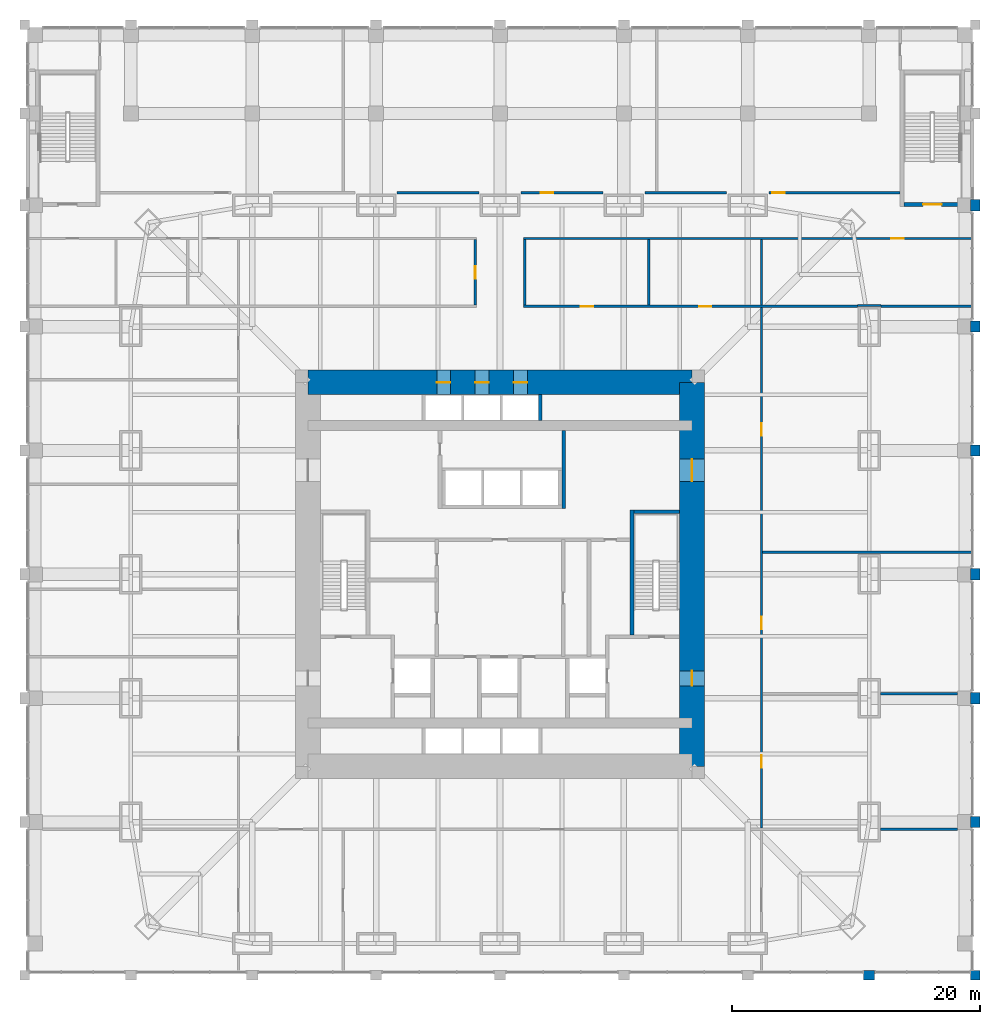
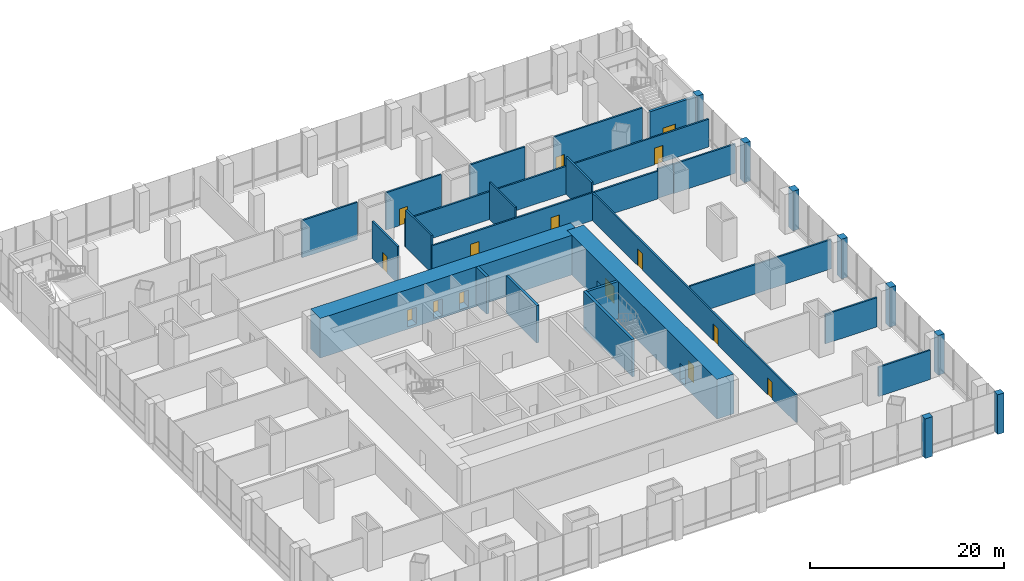
# One storey, part 19 of 24: 31 walls, 15 doors, 15 openings.
"""IFC4 building model written with IfcOpenShell, lengths in metres."""

from ifc_helpers import new_model, si_unit, direction, frame, frame_2d, origin, place, context, subcontext, project, spatial, rectangle, extrude, material, layer, layer_set, type_object, element, fill, save


model = new_model("IFC4")

# Units and contexts
model_context = context("Model", 3, precision=1e-05, world=origin(), true_north=direction((0.0, 1.0)))
body_context = subcontext(model_context, "Body", "Model", "MODEL_VIEW")
ifc_project = project(units=[si_unit("LENGTHUNIT", "METRE"), si_unit("AREAUNIT", "SQUARE_METRE"), si_unit("VOLUMEUNIT", "CUBIC_METRE"), si_unit("PLANEANGLEUNIT", "RADIAN"), si_unit("MASSUNIT", "GRAM", prefix="KILO")], contexts=[model_context])

# Site, building, storey
site_placement = place(None, origin())
site = spatial("IfcSite", under=ifc_project, at=site_placement, CompositionType="ELEMENT")
building_placement = place(site_placement, origin())
building = spatial("IfcBuilding", under=site, at=building_placement, Name="Khuree Lantern Residences", CompositionType="ELEMENT")
storey_placement = place(building_placement, frame((0.0, 0.0, 11.0)))
storey = spatial("IfcBuildingStorey", under=building, at=storey_placement, Name="L02", CompositionType="ELEMENT", Elevation=11.0)

# Walls
ifc_material_1 = material(Name="Dense concrete blockwork", Category="masonry")
ifc_layer_1 = layer(ifc_material_1, 0.300048828125)
ifc_layer_set_1 = layer_set([ifc_layer_1], Name="CORE PARTITION WALL CPW300 EI 120")
wall_type_1 = type_object("IfcWallType", Name="CORE PARTITION WALL CPW300 EI 120", PredefinedType="PARTITIONING", material=ifc_layer_set_1)
wall_1_placement = place(storey_placement, frame((3.25, 12.39990234375, 0.0), z_axis=(0.0, 0.0, 1.0), x_axis=(0.0, 1.0, 0.0)))
element("IfcWall", 1, at=wall_1_placement, inside=storey, type_object=wall_type_1, Name="L02 CORE WALL PLE", PredefinedType="PARTITIONING", context=body_context, shape_type="SweptSolid", body=[
    extrude(rectangle(XDim=2.10009765625, YDim=0.300048828125, at=frame_2d((1.050048828125, 0.0))), origin(), (0.0, 0.0, 1.0), 4.699951171875),
])
wall_2_placement = place(storey_placement, frame((5.14990234375, 5.300048828125, 0.0), z_axis=(0.0, 0.0, 1.0), x_axis=(0.0, 1.0, 0.0)))
element("IfcWall", 2, at=wall_2_placement, inside=storey, type_object=wall_type_1, Name="L02 CORE WALL NE", PredefinedType="PARTITIONING", context=body_context, shape_type="SweptSolid", body=[
    extrude(rectangle(XDim=6.300048828125, YDim=0.300048828125, at=frame_2d((3.14990234375, 0.0))), origin(), (0.0, 0.0, 1.0), 4.699951171875),
])

# Wall, openings, doors
ifc_material_2 = material(Name="Concrete C70/85", Category="concrete")
ifc_layer_2 = layer(ifc_material_2, 2.0)
ifc_layer_set_2 = layer_set([ifc_layer_2], Name="CW2000-C70 CORE WALL C70 2000")
wall_type_2 = type_object("IfcWallType", Name="CW2000-C70 CORE WALL C70 2000", PredefinedType="SHEAR", material=ifc_layer_set_2)
wall_3_placement = place(storey_placement, frame((15.5, -15.5, -0.300048828125), z_axis=(0.0, 0.0, 1.0), x_axis=(0.0, 1.0, 0.0)))
wall_3 = element("IfcWall", 3, at=wall_3_placement, inside=storey, type_object=wall_type_2, Name="Core wall E", PredefinedType="SHEAR", context=body_context, shape_type="SweptSolid", body=[
    extrude(rectangle(XDim=31.0, YDim=2.0, at=frame_2d((15.5, 0.0))), origin(), (0.0, 0.0, 1.0), 5.0),
])
opening_1_placement = place(wall_3_placement, frame((6.5, 0.0, 0.300048828125)))
opening_1 = element("IfcOpeningElement", 4, at=opening_1_placement, cuts=wall_3, Name="Opening 02-005", PredefinedType="OPENING", context=body_context, shape_type="SweptSolid", body=[
    extrude(rectangle(XDim=1.199951171875, YDim=2.10009765625, at=frame_2d((0.60009765625, 1.050048828125))), frame((0.0, 1.010009765625, 0.0), z_axis=(0.0, -1.0, 0.0), x_axis=(1.0, 0.0, 0.0)), (0.0, 0.0, 1.0), 2.02001953125),
])
opening_2_placement = place(wall_3_placement, frame((23.0, 0.0, 0.300048828125)))
opening_2 = element("IfcOpeningElement", 5, at=opening_2_placement, cuts=wall_3, Name="Opening 02-006", PredefinedType="OPENING", context=body_context, shape_type="SweptSolid", body=[
    extrude(rectangle(XDim=1.800048828125, YDim=2.10009765625, at=frame_2d((0.89990234375, 1.050048828125))), frame((0.0, 1.010009765625, 0.0), z_axis=(0.0, -1.0, 0.0), x_axis=(1.0, 0.0, 0.0)), (0.0, 0.0, 1.0), 2.02001953125),
])
ifc_material_3 = material(Name="Steel door leaf in steel frame", Category="steel")
door_type_1 = type_object("IfcDoorType", Name="LOBBY DOOR 1200X2100 EI 120", OperationType="SINGLE_SWING_LEFT", PredefinedType="DOOR", material=ifc_material_3)
door_1_placement = place(opening_1_placement, origin())
door_1 = element("IfcDoor", 6, at=door_1_placement, inside=storey, type_object=door_type_1, Name="Firefighting lobby door 02-005", OperationType="SINGLE_SWING_LEFT", OverallHeight=2.10009765625, OverallWidth=1.199951171875, PredefinedType="DOOR", context=body_context, shape_type="SweptSolid", body=[
    extrude(rectangle(XDim=1.199951171875, YDim=2.10009765625, at=frame_2d((0.60009765625, 1.050048828125))), frame((0.0, 0.02490234375, 0.0), z_axis=(0.0, -1.0, 0.0), x_axis=(1.0, 0.0, 0.0)), (0.0, 0.0, 1.0), 0.050048828125),
])
fill(opening_1, door_1)
door_type_2 = type_object("IfcDoorType", Name="LOBBY DOUBLE DOOR 1800X2100 EI 60", OperationType="DOUBLE_DOOR_SINGLE_SWING", PredefinedType="DOOR", material=ifc_material_3)
door_2_placement = place(opening_2_placement, origin())
door_2 = element("IfcDoor", 7, at=door_2_placement, inside=storey, type_object=door_type_2, Name="Lift lobby door 02-006", OperationType="DOUBLE_DOOR_SINGLE_SWING", OverallHeight=2.10009765625, OverallWidth=1.800048828125, PredefinedType="DOOR", context=body_context, shape_type="SweptSolid", body=[
    extrude(rectangle(XDim=1.800048828125, YDim=2.10009765625, at=frame_2d((0.89990234375, 1.050048828125))), frame((0.0, 0.02490234375, 0.0), z_axis=(0.0, -1.0, 0.0), x_axis=(1.0, 0.0, 0.0)), (0.0, 0.0, 1.0), 0.050048828125),
])
fill(opening_2, door_2)

wall_4_placement = place(storey_placement, frame((-15.5, 15.5, -0.300048828125), z_axis=(0.0, 0.0, 1.0), x_axis=(1.0, 0.0, 0.0)))
wall_4 = element("IfcWall", 8, at=wall_4_placement, inside=storey, type_object=wall_type_2, Name="Core wall N", PredefinedType="SHEAR", context=body_context, shape_type="SweptSolid", body=[
    extrude(rectangle(XDim=31.0, YDim=2.0, at=frame_2d((15.5, 0.0))), origin(), (0.0, 0.0, 1.0), 5.0),
])
opening_3_placement = place(wall_4_placement, frame((10.39990234375, 0.0, 0.300048828125)))
opening_3 = element("IfcOpeningElement", 9, at=opening_3_placement, cuts=wall_4, Name="Opening 02-009", PredefinedType="OPENING", context=body_context, shape_type="SweptSolid", body=[
    extrude(rectangle(XDim=1.10009765625, YDim=2.10009765625, at=frame_2d((0.550048828125, 1.050048828125))), frame((0.0, 1.010009765625, 0.0), z_axis=(0.0, -1.0, 0.0), x_axis=(1.0, 0.0, 0.0)), (0.0, 0.0, 1.0), 2.02001953125),
])
opening_4_placement = place(wall_4_placement, frame((13.5, 0.0, 0.300048828125)))
opening_4 = element("IfcOpeningElement", 10, at=opening_4_placement, cuts=wall_4, Name="Opening 02-010", PredefinedType="OPENING", context=body_context, shape_type="SweptSolid", body=[
    extrude(rectangle(XDim=1.10009765625, YDim=2.10009765625, at=frame_2d((0.550048828125, 1.050048828125))), frame((0.0, 1.010009765625, 0.0), z_axis=(0.0, -1.0, 0.0), x_axis=(1.0, 0.0, 0.0)), (0.0, 0.0, 1.0), 2.02001953125),
])
opening_5_placement = place(wall_4_placement, frame((16.60009765625, 0.0, 0.300048828125)))
opening_5 = element("IfcOpeningElement", 11, at=opening_5_placement, cuts=wall_4, Name="Opening 02-011", PredefinedType="OPENING", context=body_context, shape_type="SweptSolid", body=[
    extrude(rectangle(XDim=1.10009765625, YDim=2.10009765625, at=frame_2d((0.550048828125, 1.050048828125))), frame((0.0, 1.010009765625, 0.0), z_axis=(0.0, -1.0, 0.0), x_axis=(1.0, 0.0, 0.0)), (0.0, 0.0, 1.0), 2.02001953125),
])
ifc_material_4 = material(Name="Stainless steel lift landing door", Category="steel")
door_type_3 = type_object("IfcDoorType", Name="LIFT LANDING DOOR 1100X2100 E 60", OperationType="DOUBLE_DOOR_SLIDING", PredefinedType="DOOR", material=ifc_material_4)
door_3_placement = place(opening_3_placement, origin())
door_3 = element("IfcDoor", 12, at=door_3_placement, inside=storey, type_object=door_type_3, Name="Landing door PL1 02-009", OperationType="DOUBLE_DOOR_SLIDING", OverallHeight=2.10009765625, OverallWidth=1.10009765625, PredefinedType="DOOR", context=body_context, shape_type="SweptSolid", body=[
    extrude(rectangle(XDim=1.10009765625, YDim=2.10009765625, at=frame_2d((0.550048828125, 1.050048828125))), frame((0.0, 0.02490234375, 0.0), z_axis=(0.0, -1.0, 0.0), x_axis=(1.0, 0.0, 0.0)), (0.0, 0.0, 1.0), 0.050048828125),
])
fill(opening_3, door_3)
door_4_placement = place(opening_4_placement, origin())
door_4 = element("IfcDoor", 13, at=door_4_placement, inside=storey, type_object=door_type_3, Name="Landing door PL2 02-010", OperationType="DOUBLE_DOOR_SLIDING", OverallHeight=2.10009765625, OverallWidth=1.10009765625, PredefinedType="DOOR", context=body_context, shape_type="SweptSolid", body=[
    extrude(rectangle(XDim=1.10009765625, YDim=2.10009765625, at=frame_2d((0.550048828125, 1.050048828125))), frame((0.0, 0.02490234375, 0.0), z_axis=(0.0, -1.0, 0.0), x_axis=(1.0, 0.0, 0.0)), (0.0, 0.0, 1.0), 0.050048828125),
])
fill(opening_4, door_4)
door_5_placement = place(opening_5_placement, origin())
door_5 = element("IfcDoor", 14, at=door_5_placement, inside=storey, type_object=door_type_3, Name="Landing door PL3 02-011", OperationType="DOUBLE_DOOR_SLIDING", OverallHeight=2.10009765625, OverallWidth=1.10009765625, PredefinedType="DOOR", context=body_context, shape_type="SweptSolid", body=[
    extrude(rectangle(XDim=1.10009765625, YDim=2.10009765625, at=frame_2d((0.550048828125, 1.050048828125))), frame((0.0, 0.02490234375, 0.0), z_axis=(0.0, -1.0, 0.0), x_axis=(1.0, 0.0, 0.0)), (0.0, 0.0, 1.0), 0.050048828125),
])
fill(opening_5, door_5)

# Walls
ifc_material_5 = material(Name="Flamed granite cladding on blockwork", Category="masonry")
ifc_layer_3 = layer(ifc_material_5, 0.75)
ifc_layer_set_3 = layer_set([ifc_layer_3], Name="PODIUM PIER PR1 900X750")
wall_type_3 = type_object("IfcWallType", Name="PODIUM PIER PR1 900X750", PredefinedType="SOLIDWALL", material=ifc_layer_set_3)
wall_5_placement = place(storey_placement, frame((29.35009765625, -32.375, 0.0), z_axis=(0.0, 0.0, 1.0), x_axis=(1.0, 0.0, 0.0)))
element("IfcWall", 15, at=wall_5_placement, inside=storey, type_object=wall_type_3, Name="L02 SOUTH FACE PIER 7", PredefinedType="SOLIDWALL", context=body_context, shape_type="SweptSolid", body=[
    extrude(rectangle(XDim=0.89990234375, YDim=0.75, at=frame_2d((0.449951171875, 0.0))), origin(), (0.0, 0.0, 1.0), 5.0),
])
wall_6_placement = place(storey_placement, frame((38.0, -32.375, 0.0), z_axis=(0.0, 0.0, 1.0), x_axis=(1.0, 0.0, 0.0)))
element("IfcWall", 16, at=wall_6_placement, inside=storey, type_object=wall_type_3, Name="L02 SOUTH FACE PIER 8", PredefinedType="SOLIDWALL", context=body_context, shape_type="SweptSolid", body=[
    extrude(rectangle(XDim=0.75, YDim=0.75, at=frame_2d((0.375, 0.0))), origin(), (0.0, 0.0, 1.0), 5.0),
])
for number, where, z_axis, x_axis, name in (
    (17, (38.375, -20.449951171875, 0.0), (0.0, 0.0, 1.0), (0.0, 1.0, 0.0), "L02 EAST FACE PIER 1"),
    (18, (38.375, -10.449951171875, 0.0), (0.0, 0.0, 1.0), (0.0, 1.0, 0.0), "L02 EAST FACE PIER 2"),
    (19, (38.375, -0.449951171875, 0.0), (0.0, 0.0, 1.0), (0.0, 1.0, 0.0), "L02 EAST FACE PIER 3"),
    (20, (38.375, 9.550048828125, 0.0), (0.0, 0.0, 1.0), (0.0, 1.0, 0.0), "L02 EAST FACE PIER 4"),
    (21, (38.375, 19.550048828125, 0.0), (0.0, 0.0, 1.0), (0.0, 1.0, 0.0), "L02 EAST FACE PIER 5"),
    (22, (38.375, 29.35009765625, 0.0), (0.0, 0.0, 1.0), (0.0, 1.0, 0.0), "L02 EAST FACE PIER 6"),
):
    element("IfcWall", number, at=place(storey_placement, frame(where, z_axis=z_axis, x_axis=x_axis)), inside=storey, type_object=wall_type_3, Name=name, PredefinedType="SOLIDWALL", context=body_context, shape_type="SweptSolid", body=[
        extrude(rectangle(XDim=0.89990234375, YDim=0.75, at=frame_2d((0.449951171875, 0.0))), origin(), (0.0, 0.0, 1.0), 5.0),
    ])
ifc_layer_4 = layer(ifc_material_1, 0.199951171875)
ifc_layer_set_4 = layer_set([ifc_layer_4], Name="ROOM WALL RMW200")
wall_type_4 = type_object("IfcWallType", Name="ROOM WALL RMW200", PredefinedType="SOLIDWALL", material=ifc_layer_set_4)
wall_7_placement = place(storey_placement, frame((30.72998046875, -20.591064453125, 0.0), z_axis=(0.0, 0.0, 1.0), x_axis=(1.0, 0.0, 0.0)))
element("IfcWall", 23, at=wall_7_placement, inside=storey, type_object=wall_type_4, Name="L02 ROOM WALL 8", PredefinedType="SOLIDWALL", context=body_context, shape_type="SweptSolid", body=[
    extrude(rectangle(XDim=6.18994140625, YDim=0.199951171875, at=frame_2d((3.094970703125, 0.0))), origin(), (0.0, 0.0, 1.0), 3.699951171875),
])

# Wall, openings, doors
wall_8_placement = place(storey_placement, frame((21.111083984375, -20.490966796875, 0.0), z_axis=(0.0, 0.0, 1.0), x_axis=(0.0, 1.0, 0.0)))
wall_8 = element("IfcWall", 24, at=wall_8_placement, inside=storey, type_object=wall_type_4, Name="L02 ROOM WALL 10", PredefinedType="SOLIDWALL", context=body_context, shape_type="SweptSolid", body=[
    extrude(rectangle(XDim=42.02197265625, YDim=0.199951171875, at=frame_2d((21.010986328125, 0.0))), origin(), (0.0, 0.0, 1.0), 3.5),
])
opening_6_placement = place(wall_8_placement, frame((4.8798828125, 0.0, 0.0)))
opening_6 = element("IfcOpeningElement", 25, at=opening_6_placement, cuts=wall_8, Name="Opening 02-033", PredefinedType="OPENING", context=body_context, shape_type="SweptSolid", body=[
    extrude(rectangle(XDim=1.0, YDim=2.10009765625, at=frame_2d((0.5, 1.050048828125))), frame((0.0, 0.10986328125, 0.0), z_axis=(0.0, -1.0, 0.0), x_axis=(1.0, 0.0, 0.0)), (0.0, 0.0, 1.0), 0.219970703125),
])
opening_7_placement = place(wall_8_placement, frame((16.064453125, 0.0, 0.0)))
opening_7 = element("IfcOpeningElement", 26, at=opening_7_placement, cuts=wall_8, Name="Opening 02-034", PredefinedType="OPENING", context=body_context, shape_type="SweptSolid", body=[
    extrude(rectangle(XDim=1.0, YDim=2.10009765625, at=frame_2d((0.5, 1.050048828125))), frame((0.0, 0.10986328125, 0.0), z_axis=(0.0, -1.0, 0.0), x_axis=(1.0, 0.0, 0.0)), (0.0, 0.0, 1.0), 0.219970703125),
])
opening_8_placement = place(wall_8_placement, frame((31.695556640625, 0.0, 0.0)))
opening_8 = element("IfcOpeningElement", 27, at=opening_8_placement, cuts=wall_8, Name="Opening 02-035", PredefinedType="OPENING", context=body_context, shape_type="SweptSolid", body=[
    extrude(rectangle(XDim=1.0, YDim=2.10009765625, at=frame_2d((0.5, 1.050048828125))), frame((0.0, 0.10986328125, 0.0), z_axis=(0.0, -1.0, 0.0), x_axis=(1.0, 0.0, 0.0)), (0.0, 0.0, 1.0), 0.219970703125),
])
ifc_material_6 = material(Name="Timber door leaf in hardwood frame", Category="wood")
door_type_4 = type_object("IfcDoorType", Name="DOOR 1000X2100", OperationType="SINGLE_SWING_LEFT", PredefinedType="DOOR", material=ifc_material_6)
door_6_placement = place(opening_6_placement, origin())
door_6 = element("IfcDoor", 28, at=door_6_placement, inside=storey, type_object=door_type_4, Name="Staff changing room door 02-033", OperationType="SINGLE_SWING_LEFT", OverallHeight=2.10009765625, OverallWidth=1.0, PredefinedType="DOOR", context=body_context, shape_type="SweptSolid", body=[
    extrude(rectangle(XDim=1.0, YDim=2.10009765625, at=frame_2d((0.5, 1.050048828125))), frame((0.0, 0.02490234375, 0.0), z_axis=(0.0, -1.0, 0.0), x_axis=(1.0, 0.0, 0.0)), (0.0, 0.0, 1.0), 0.050048828125),
])
fill(opening_6, door_6)
door_7_placement = place(opening_7_placement, origin())
door_7 = element("IfcDoor", 29, at=door_7_placement, inside=storey, type_object=door_type_4, Name="Catering office door 02-034", OperationType="SINGLE_SWING_LEFT", OverallHeight=2.10009765625, OverallWidth=1.0, PredefinedType="DOOR", context=body_context, shape_type="SweptSolid", body=[
    extrude(rectangle(XDim=1.0, YDim=2.10009765625, at=frame_2d((0.5, 1.050048828125))), frame((0.0, 0.02490234375, 0.0), z_axis=(0.0, -1.0, 0.0), x_axis=(1.0, 0.0, 0.0)), (0.0, 0.0, 1.0), 0.050048828125),
])
fill(opening_7, door_7)
door_8_placement = place(opening_8_placement, origin())
door_8 = element("IfcDoor", 30, at=door_8_placement, inside=storey, type_object=door_type_4, Name="Audio-visual room door 02-035", OperationType="SINGLE_SWING_LEFT", OverallHeight=2.10009765625, OverallWidth=1.0, PredefinedType="DOOR", context=body_context, shape_type="SweptSolid", body=[
    extrude(rectangle(XDim=1.0, YDim=2.10009765625, at=frame_2d((0.5, 1.050048828125))), frame((0.0, 0.02490234375, 0.0), z_axis=(0.0, -1.0, 0.0), x_axis=(1.0, 0.0, 0.0)), (0.0, 0.0, 1.0), 0.050048828125),
])
fill(opening_8, door_8)

# Walls
wall_9_placement = place(storey_placement, frame((30.72998046875, -9.631103515625, 0.0), z_axis=(0.0, 0.0, 1.0), x_axis=(1.0, 0.0, 0.0)))
element("IfcWall", 31, at=wall_9_placement, inside=storey, type_object=wall_type_4, Name="L02 ROOM WALL 12", PredefinedType="SOLIDWALL", context=body_context, shape_type="SweptSolid", body=[
    extrude(rectangle(XDim=6.18994140625, YDim=0.199951171875, at=frame_2d((3.094970703125, 0.0))), origin(), (0.0, 0.0, 1.0), 3.699951171875),
])
wall_10_placement = place(storey_placement, frame((21.2109375, 1.778076171875, 0.0), z_axis=(0.0, 0.0, 1.0), x_axis=(1.0, 0.0, 0.0)))
element("IfcWall", 32, at=wall_10_placement, inside=storey, type_object=wall_type_4, Name="L02 ROOM WALL 16", PredefinedType="SOLIDWALL", context=body_context, shape_type="SweptSolid", body=[
    extrude(rectangle(XDim=16.864013671875, YDim=0.199951171875, at=frame_2d((8.43212890625, 0.0))), origin(), (0.0, 0.0, 1.0), 3.699951171875),
])

# Wall, openings, doors
wall_11_placement = place(storey_placement, frame((1.89990234375, 21.631103515625, 0.0), z_axis=(0.0, 0.0, 1.0), x_axis=(1.0, 0.0, 0.0)))
wall_11 = element("IfcWall", 33, at=wall_11_placement, inside=storey, type_object=wall_type_4, Name="L02 ROOM WALL 21", PredefinedType="SOLIDWALL", context=body_context, shape_type="SweptSolid", body=[
    extrude(rectangle(XDim=26.9501953125, YDim=0.199951171875, at=frame_2d((13.47509765625, 0.0))), origin(), (0.0, 0.0, 1.0), 3.5),
])
opening_9_placement = place(wall_11_placement, frame((4.610107421875, 0.0, 0.0)))
opening_9 = element("IfcOpeningElement", 34, at=opening_9_placement, cuts=wall_11, Name="Opening 02-041", PredefinedType="OPENING", context=body_context, shape_type="SweptSolid", body=[
    extrude(rectangle(XDim=1.0, YDim=2.10009765625, at=frame_2d((0.5, 1.050048828125))), frame((0.0, 0.10986328125, 0.0), z_axis=(0.0, -1.0, 0.0), x_axis=(1.0, 0.0, 0.0)), (0.0, 0.0, 1.0), 0.219970703125),
])
opening_10_placement = place(wall_11_placement, frame((14.16552734375, 0.0, 0.0)))
opening_10 = element("IfcOpeningElement", 35, at=opening_10_placement, cuts=wall_11, Name="Opening 02-042", PredefinedType="OPENING", context=body_context, shape_type="SweptSolid", body=[
    extrude(rectangle(XDim=1.0, YDim=2.10009765625, at=frame_2d((0.5, 1.050048828125))), frame((0.0, 0.10986328125, 0.0), z_axis=(0.0, -1.0, 0.0), x_axis=(1.0, 0.0, 0.0)), (0.0, 0.0, 1.0), 0.219970703125),
])
door_9_placement = place(opening_9_placement, origin())
door_9 = element("IfcDoor", 36, at=door_9_placement, inside=storey, type_object=door_type_4, Name="Florist room door 02-041", OperationType="SINGLE_SWING_LEFT", OverallHeight=2.10009765625, OverallWidth=1.0, PredefinedType="DOOR", context=body_context, shape_type="SweptSolid", body=[
    extrude(rectangle(XDim=1.0, YDim=2.10009765625, at=frame_2d((0.5, 1.050048828125))), frame((0.0, 0.02490234375, 0.0), z_axis=(0.0, -1.0, 0.0), x_axis=(1.0, 0.0, 0.0)), (0.0, 0.0, 1.0), 0.050048828125),
])
fill(opening_9, door_9)
door_10_placement = place(opening_10_placement, origin())
door_10 = element("IfcDoor", 37, at=door_10_placement, inside=storey, type_object=door_type_4, Name="Press room door 02-042", OperationType="SINGLE_SWING_LEFT", OverallHeight=2.10009765625, OverallWidth=1.0, PredefinedType="DOOR", context=body_context, shape_type="SweptSolid", body=[
    extrude(rectangle(XDim=1.0, YDim=2.10009765625, at=frame_2d((0.5, 1.050048828125))), frame((0.0, 0.02490234375, 0.0), z_axis=(0.0, -1.0, 0.0), x_axis=(1.0, 0.0, 0.0)), (0.0, 0.0, 1.0), 0.050048828125),
])
fill(opening_10, door_10)

# Walls
wall_12_placement = place(storey_placement, frame((30.75, 21.631103515625, 0.0), z_axis=(0.0, 0.0, 1.0), x_axis=(1.0, 0.0, 0.0)))
element("IfcWall", 38, at=wall_12_placement, inside=storey, type_object=wall_type_4, Name="L02 ROOM WALL 22", PredefinedType="SOLIDWALL", context=body_context, shape_type="SweptSolid", body=[
    extrude(rectangle(XDim=7.324951171875, YDim=0.199951171875, at=frame_2d((3.66259765625, 0.0))), origin(), (0.0, 0.0, 1.0), 3.699951171875),
])
wall_13_placement = place(storey_placement, frame((28.85009765625, 21.701904296875, 0.0), z_axis=(0.0, 0.0, 1.0), x_axis=(1.0, 0.0, 0.0)))
element("IfcWall", 39, at=wall_13_placement, inside=storey, type_object=wall_type_4, Name="L02 ROOM WALL 24", PredefinedType="SOLIDWALL", context=body_context, shape_type="SweptSolid", body=[
    extrude(rectangle(XDim=1.89990234375, YDim=0.199951171875, at=frame_2d((0.949951171875, 0.0))), origin(), (0.0, 0.0, 1.0), 3.699951171875),
])

# Wall, opening, door
wall_14_placement = place(storey_placement, frame((-2.0, 21.73095703125, 0.0), z_axis=(0.0, 0.0, 1.0), x_axis=(0.0, 1.0, 0.0)))
wall_14 = element("IfcWall", 40, at=wall_14_placement, inside=storey, type_object=wall_type_4, Name="L02 ROOM WALL 28", PredefinedType="SOLIDWALL", context=body_context, shape_type="SweptSolid", body=[
    extrude(rectangle(XDim=5.280029296875, YDim=0.199951171875, at=frame_2d((2.64013671875, 0.0))), origin(), (0.0, 0.0, 1.0), 4.699951171875),
])
opening_11_placement = place(wall_14_placement, frame((2.14990234375, 0.0, 0.0)))
opening_11 = element("IfcOpeningElement", 41, at=opening_11_placement, cuts=wall_14, Name="Opening 02-040", PredefinedType="OPENING", context=body_context, shape_type="SweptSolid", body=[
    extrude(rectangle(XDim=1.0, YDim=2.10009765625, at=frame_2d((0.5, 1.050048828125))), frame((0.0, 0.10986328125, 0.0), z_axis=(0.0, -1.0, 0.0), x_axis=(1.0, 0.0, 0.0)), (0.0, 0.0, 1.0), 0.219970703125),
])
door_11_placement = place(opening_11_placement, origin())
door_11 = element("IfcDoor", 42, at=door_11_placement, inside=storey, type_object=door_type_4, Name="Ticket office door 02-040", OperationType="SINGLE_SWING_LEFT", OverallHeight=2.10009765625, OverallWidth=1.0, PredefinedType="DOOR", context=body_context, shape_type="SweptSolid", body=[
    extrude(rectangle(XDim=1.0, YDim=2.10009765625, at=frame_2d((0.5, 1.050048828125))), frame((0.0, 0.02490234375, 0.0), z_axis=(0.0, -1.0, 0.0), x_axis=(1.0, 0.0, 0.0)), (0.0, 0.0, 1.0), 0.050048828125),
])
fill(opening_11, door_11)

# Walls
for number, where, z_axis, x_axis, name in (
    (43, (2.0, 21.73095703125, 0.0), (0.0, 0.0, 1.0), (0.0, 1.0, 0.0), "L02 ROOM WALL 29"),
    (44, (12.0, 21.73095703125, 0.0), (0.0, 0.0, 1.0), (0.0, 1.0, 0.0), "L02 ROOM WALL 30"),
    (45, (21.111083984375, 21.73095703125, 0.0), (0.0, 0.0, 1.0), (0.0, 1.0, 0.0), "L02 ROOM WALL 31"),
):
    element("IfcWall", number, at=place(storey_placement, frame(where, z_axis=z_axis, x_axis=x_axis)), inside=storey, type_object=wall_type_4, Name=name, PredefinedType="SOLIDWALL", context=body_context, shape_type="SweptSolid", body=[
        extrude(rectangle(XDim=5.280029296875, YDim=0.199951171875, at=frame_2d((2.64013671875, 0.0))), origin(), (0.0, 0.0, 1.0), 4.699951171875),
    ])

# Wall, opening, door
wall_15_placement = place(storey_placement, frame((1.89990234375, 27.111083984375, 0.0), z_axis=(0.0, 0.0, 1.0), x_axis=(1.0, 0.0, 0.0)))
wall_15 = element("IfcWall", 46, at=wall_15_placement, inside=storey, type_object=wall_type_4, Name="L02 ROOM WALL 33", PredefinedType="SOLIDWALL", context=body_context, shape_type="SweptSolid", body=[
    extrude(rectangle(XDim=36.175048828125, YDim=0.199951171875, at=frame_2d((18.08740234375, 0.0))), origin(), (0.0, 0.0, 1.0), 3.5),
])
opening_12_placement = place(wall_15_placement, frame((29.69482421875, 0.0, 0.0)))
opening_12 = element("IfcOpeningElement", 47, at=opening_12_placement, cuts=wall_15, Name="Opening 02-039", PredefinedType="OPENING", context=body_context, shape_type="SweptSolid", body=[
    extrude(rectangle(XDim=1.0, YDim=2.10009765625, at=frame_2d((0.5, 1.050048828125))), frame((0.0, 0.10986328125, 0.0), z_axis=(0.0, -1.0, 0.0), x_axis=(1.0, 0.0, 0.0)), (0.0, 0.0, 1.0), 0.219970703125),
])
door_12_placement = place(opening_12_placement, origin())
door_12 = element("IfcDoor", 48, at=door_12_placement, inside=storey, type_object=door_type_4, Name="Wine room door 02-039", OperationType="SINGLE_SWING_LEFT", OverallHeight=2.10009765625, OverallWidth=1.0, PredefinedType="DOOR", context=body_context, shape_type="SweptSolid", body=[
    extrude(rectangle(XDim=1.0, YDim=2.10009765625, at=frame_2d((0.5, 1.050048828125))), frame((0.0, 0.02490234375, 0.0), z_axis=(0.0, -1.0, 0.0), x_axis=(1.0, 0.0, 0.0)), (0.0, 0.0, 1.0), 0.050048828125),
])
fill(opening_12, door_12)

# Wall
wall_16_placement = place(storey_placement, frame((-8.2998046875, 30.800048828125, 0.0), z_axis=(0.0, 0.0, 1.0), x_axis=(1.0, 0.0, 0.0)))
element("IfcWall", 49, at=wall_16_placement, inside=storey, type_object=wall_type_4, Name="L02 ROOM WALL 36", PredefinedType="SOLIDWALL", context=body_context, shape_type="SweptSolid", body=[
    extrude(rectangle(XDim=6.599609375, YDim=0.199951171875, at=frame_2d((3.2998046875, 0.0))), origin(), (0.0, 0.0, 1.0), 4.699951171875),
])

# Wall, opening, door
wall_17_placement = place(storey_placement, frame((1.7001953125, 30.800048828125, 0.0), z_axis=(0.0, 0.0, 1.0), x_axis=(1.0, 0.0, 0.0)))
wall_17 = element("IfcWall", 50, at=wall_17_placement, inside=storey, type_object=wall_type_4, Name="L02 ROOM WALL 37", PredefinedType="SOLIDWALL", context=body_context, shape_type="SweptSolid", body=[
    extrude(rectangle(XDim=6.599609375, YDim=0.199951171875, at=frame_2d((3.2998046875, 0.0))), origin(), (0.0, 0.0, 1.0), 4.699951171875),
])
opening_13_placement = place(wall_17_placement, frame((1.593017578125, 0.0, 0.0)))
opening_13 = element("IfcOpeningElement", 51, at=opening_13_placement, cuts=wall_17, Name="Opening 02-045", PredefinedType="OPENING", context=body_context, shape_type="SweptSolid", body=[
    extrude(rectangle(XDim=1.0, YDim=2.10009765625, at=frame_2d((0.5, 1.050048828125))), frame((0.0, 0.10986328125, 0.0), z_axis=(0.0, -1.0, 0.0), x_axis=(1.0, 0.0, 0.0)), (0.0, 0.0, 1.0), 0.219970703125),
])
door_13_placement = place(opening_13_placement, origin())
door_13 = element("IfcDoor", 52, at=door_13_placement, inside=storey, type_object=door_type_4, Name="Archive store door 02-045", OperationType="SINGLE_SWING_LEFT", OverallHeight=2.10009765625, OverallWidth=1.0, PredefinedType="DOOR", context=body_context, shape_type="SweptSolid", body=[
    extrude(rectangle(XDim=1.0, YDim=2.10009765625, at=frame_2d((0.5, 1.050048828125))), frame((0.0, 0.02490234375, 0.0), z_axis=(0.0, -1.0, 0.0), x_axis=(1.0, 0.0, 0.0)), (0.0, 0.0, 1.0), 0.050048828125),
])
fill(opening_13, door_13)

# Wall
wall_18_placement = place(storey_placement, frame((11.7001953125, 30.800048828125, 0.0), z_axis=(0.0, 0.0, 1.0), x_axis=(1.0, 0.0, 0.0)))
element("IfcWall", 53, at=wall_18_placement, inside=storey, type_object=wall_type_4, Name="L02 ROOM WALL 38", PredefinedType="SOLIDWALL", context=body_context, shape_type="SweptSolid", body=[
    extrude(rectangle(XDim=6.599609375, YDim=0.199951171875, at=frame_2d((3.2998046875, 0.0))), origin(), (0.0, 0.0, 1.0), 4.699951171875),
])

# Wall, opening, door
wall_19_placement = place(storey_placement, frame((21.7001953125, 30.800048828125, 0.0), z_axis=(0.0, 0.0, 1.0), x_axis=(1.0, 0.0, 0.0)))
wall_19 = element("IfcWall", 54, at=wall_19_placement, inside=storey, type_object=wall_type_4, Name="L02 ROOM WALL 39", PredefinedType="SOLIDWALL", context=body_context, shape_type="SweptSolid", body=[
    extrude(rectangle(XDim=10.579833984375, YDim=0.199951171875, at=frame_2d((5.2900390625, 0.0))), origin(), (0.0, 0.0, 1.0), 4.699951171875),
])
opening_14_placement = place(wall_19_placement, frame((0.2734375, 0.0, 0.0)))
opening_14 = element("IfcOpeningElement", 55, at=opening_14_placement, cuts=wall_19, Name="Opening 02-046", PredefinedType="OPENING", context=body_context, shape_type="SweptSolid", body=[
    extrude(rectangle(XDim=1.0, YDim=2.10009765625, at=frame_2d((0.5, 1.050048828125))), frame((0.0, 0.10986328125, 0.0), z_axis=(0.0, -1.0, 0.0), x_axis=(1.0, 0.0, 0.0)), (0.0, 0.0, 1.0), 0.219970703125),
])
door_14_placement = place(opening_14_placement, origin())
door_14 = element("IfcDoor", 56, at=door_14_placement, inside=storey, type_object=door_type_4, Name="Production office door 02-046", OperationType="SINGLE_SWING_LEFT", OverallHeight=2.10009765625, OverallWidth=1.0, PredefinedType="DOOR", context=body_context, shape_type="SweptSolid", body=[
    extrude(rectangle(XDim=1.0, YDim=2.10009765625, at=frame_2d((0.5, 1.050048828125))), frame((0.0, 0.02490234375, 0.0), z_axis=(0.0, -1.0, 0.0), x_axis=(1.0, 0.0, 0.0)), (0.0, 0.0, 1.0), 0.050048828125),
])
fill(opening_14, door_14)

# Walls
ifc_material_7 = material(Name="Concrete C50/60", Category="concrete")
ifc_layer_5 = layer(ifc_material_7, 0.300048828125)
ifc_layer_set_5 = layer_set([ifc_layer_5], Name="STAIR WALL SRW300 C50/60 REI 240")
wall_type_5 = type_object("IfcWallType", Name="STAIR WALL SRW300 C50/60 REI 240", PredefinedType="SOLIDWALL", material=ifc_layer_set_5)
wall_20_placement = place(storey_placement, frame((10.64990234375, -4.89990234375, 0.0), z_axis=(0.0, 0.0, 1.0), x_axis=(0.0, 1.0, 0.0)))
element("IfcWall", 57, at=wall_20_placement, inside=storey, type_object=wall_type_5, Name="L02 STAIR WALL ST2E", PredefinedType="SOLIDWALL", context=body_context, shape_type="SweptSolid", body=[
    extrude(rectangle(XDim=10.099853515625, YDim=0.300048828125, at=frame_2d((5.0498046875, 0.0))), origin(), (0.0, 0.0, 1.0), 4.699951171875),
])
wall_21_placement = place(storey_placement, frame((14.5, 5.050048828125, 0.0), z_axis=(0.0, 0.0, 1.0), x_axis=(-1.0, 0.0, 0.0)))
element("IfcWall", 58, at=wall_21_placement, inside=storey, type_object=wall_type_5, Name="L02 STAIR WALL ST2N", PredefinedType="SOLIDWALL", context=body_context, shape_type="SweptSolid", body=[
    extrude(rectangle(XDim=3.699951171875, YDim=0.300048828125, at=frame_2d((1.85009765625, 0.0))), origin(), (0.0, 0.0, 1.0), 4.699951171875),
])

# Wall, opening, door
wall_22_placement = place(storey_placement, frame((38.0, 29.85009765625, 0.0), z_axis=(0.0, 0.0, 1.0), x_axis=(-1.0, 0.0, 0.0)))
wall_22 = element("IfcWall", 59, at=wall_22_placement, inside=storey, type_object=wall_type_5, Name="L02 STAIR ST4 WALL S", PredefinedType="SOLIDWALL", context=body_context, shape_type="SweptSolid", body=[
    extrude(rectangle(XDim=5.39990234375, YDim=0.300048828125, at=frame_2d((2.699951171875, 0.0))), origin(), (0.0, 0.0, 1.0), 4.699951171875),
])
opening_15_placement = place(wall_22_placement, frame((2.35009765625, 0.0, 0.0)))
opening_15 = element("IfcOpeningElement", 60, at=opening_15_placement, cuts=wall_22, Name="Opening 02-022", PredefinedType="OPENING", context=body_context, shape_type="SweptSolid", body=[
    extrude(rectangle(XDim=1.5, YDim=2.10009765625, at=frame_2d((0.75, 1.050048828125))), frame((0.0, 0.16015625, 0.0), z_axis=(0.0, -1.0, 0.0), x_axis=(1.0, 0.0, 0.0)), (0.0, 0.0, 1.0), 0.320068359375),
])
door_type_5 = type_object("IfcDoorType", Name="STAIR DOOR 1500X2100 EI 120", OperationType="DOUBLE_DOOR_SINGLE_SWING", PredefinedType="DOOR", material=ifc_material_3)
door_15_placement = place(opening_15_placement, origin())
door_15 = element("IfcDoor", 61, at=door_15_placement, inside=storey, type_object=door_type_5, Name="Stair ST4 door 02-022", OperationType="DOUBLE_DOOR_SINGLE_SWING", OverallHeight=2.10009765625, OverallWidth=1.5, PredefinedType="DOOR", context=body_context, shape_type="SweptSolid", body=[
    extrude(rectangle(XDim=1.5, YDim=2.10009765625, at=frame_2d((0.75, 1.050048828125))), frame((0.0, 0.02490234375, 0.0), z_axis=(0.0, -1.0, 0.0), x_axis=(1.0, 0.0, 0.0)), (0.0, 0.0, 1.0), 0.050048828125),
])
fill(opening_15, door_15)

save(model, "model.ifc")
